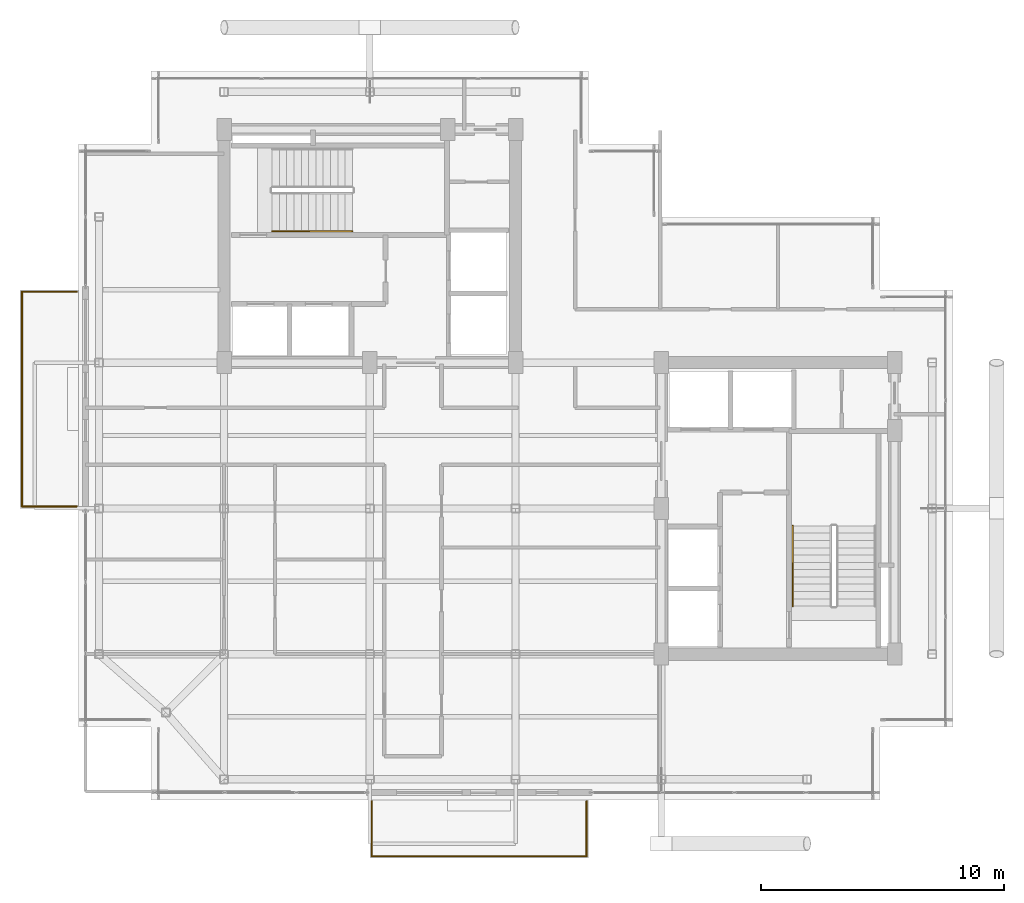
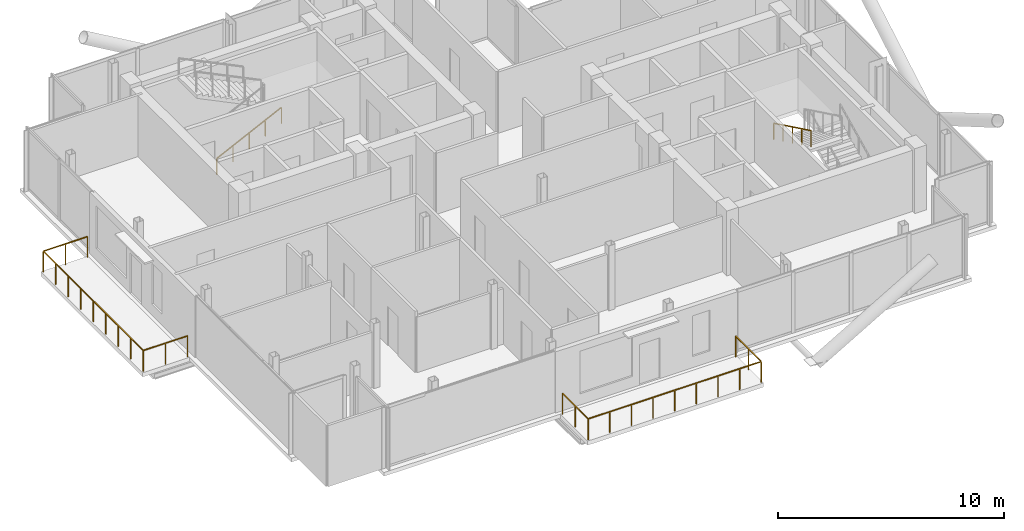
# One storey, part 17 of 18: 4 railings.
"""IFC4 building model written with IfcOpenShell, lengths in metres."""

import ifcopenshell
import ifcopenshell.guid

model = None  # the IFC model being written
_history = None  # IfcOwnerHistory: only IFC2X3 demands one
_inside = {}  # id of a spatial element -> (the spatial element, [elements in it])
_under = {}  # id of a project, library or spatial element -> (it, [spatial elements below it])
_declared = {}  # id of a project -> (the project, [libraries it declares])
_typed = {}  # id of a type object -> (the type object, [elements of that type])
_made_of = {}  # id of a material, layer set ... -> (it, [elements and type objects made of it])


def new_model(schema):
    """Start an empty IFC model of exactly this schema.

    Asked for "IFC4X3", IfcOpenShell would pick the latest addendum, in which some entities
    have other attributes; the version numbers below select the first issue.
    IFC2X3 requires an IfcOwnerHistory on every rooted entity: one is made here for all.
    """
    global model, _history
    if schema == "IFC4X3":
        model = ifcopenshell.file(schema_version=(4, 3, 0, 0))
    else:
        model = ifcopenshell.file(schema=schema)
    _inside.clear()
    _under.clear()
    _declared.clear()
    _typed.clear()
    _made_of.clear()
    _history = None
    if model.schema == "IFC2X3":
        org = make("IfcOrganization", Name="unknown")
        user = make(
            "IfcPersonAndOrganization",
            ThePerson=make("IfcPerson", FamilyName="unknown"),
            TheOrganization=org,
        )
        app = make(
            "IfcApplication",
            ApplicationDeveloper=org,
            Version="unknown",
            ApplicationFullName="unknown",
            ApplicationIdentifier="unknown",
        )
        _history = make(
            "IfcOwnerHistory",
            OwningUser=user,
            OwningApplication=app,
            ChangeAction="ADDED",
            CreationDate=0,
        )
    return model


def make(cls, **values):
    """One entity of the class cls with the attributes given. An attribute that is None is left unset."""
    return model.create_entity(
        cls, **{name: value for name, value in values.items() if value is not None}
    )


def rooted(cls, **values):
    """An entity with a GlobalId (a new one), such as an element, a storey or a relation."""
    return make(cls, GlobalId=ifcopenshell.guid.new(), OwnerHistory=_history, **values)


def si_unit(unit_type, name, prefix=None):
    """IfcSIUnit, for example si_unit("LENGTHUNIT", "METRE", prefix="MILLI")."""
    return make("IfcSIUnit", UnitType=unit_type, Prefix=prefix, Name=name)


def assignment(units):
    """IfcUnitAssignment: the units of a project."""
    return None if units is None else make("IfcUnitAssignment", Units=units)


def point(xyz):
    """IfcCartesianPoint."""
    return None if xyz is None else make("IfcCartesianPoint", Coordinates=xyz)


def direction(xyz):
    """IfcDirection."""
    return None if xyz is None else make("IfcDirection", DirectionRatios=xyz)


def frame(location, z_axis=None, x_axis=None):
    """IfcAxis2Placement3D, a coordinate frame: its origin and axes. An axis left out is left unset."""
    return make(
        "IfcAxis2Placement3D",
        Location=point(location),
        Axis=direction(z_axis),
        RefDirection=direction(x_axis),
    )


def frame_2d(location, x_axis=None):
    """IfcAxis2Placement2D, a coordinate frame in the plane: its origin and x axis."""
    return make(
        "IfcAxis2Placement2D", Location=point(location), RefDirection=direction(x_axis)
    )


def origin():
    """The frame at (0, 0, 0) with its axes left unset."""
    return frame((0.0, 0.0, 0.0))


def origin_2d():
    """The frame at (0, 0) in the plane with its x axis left unset."""
    return frame_2d((0.0, 0.0))


def place(relative_to, where):
    """IfcLocalPlacement: puts the frame where relative to a parent placement (None: the world)."""
    return make(
        "IfcLocalPlacement", PlacementRelTo=relative_to, RelativePlacement=where
    )


def context(
    kind, dimensions, precision=None, world=None, true_north=None, identifier=None
):
    """IfcGeometricRepresentationContext, for example the 3D "Model" context."""
    return make(
        "IfcGeometricRepresentationContext",
        ContextIdentifier=identifier,
        ContextType=kind,
        CoordinateSpaceDimension=dimensions,
        Precision=precision,
        WorldCoordinateSystem=world,
        TrueNorth=true_north,
    )


def subcontext(parent, identifier, kind, view, scale=None):
    """IfcGeometricRepresentationSubContext, for example "Body" below "Model"."""
    return make(
        "IfcGeometricRepresentationSubContext",
        ContextIdentifier=identifier,
        ContextType=kind,
        ParentContext=parent,
        TargetScale=scale,
        TargetView=view,
    )


def project(units=None, contexts=None):
    """IfcProject with its units and contexts."""
    return rooted(
        "IfcProject",
        Name="project",
        RepresentationContexts=contexts,
        UnitsInContext=assignment(units),
    )


def spatial(cls, under=None, at=None, **own):
    """A site, building, storey or space (cls), placed at a placement, below another one or the project."""
    s = rooted(cls, ObjectPlacement=at, **own)
    if under is not None:
        _under.setdefault(under.id(), (under, []))[1].append(s)
    return s


def profile(cls, at=None, kind="AREA", **sizes):
    """A parametric profile (cls). Its sizes go by their IFC names, for example OverallWidth=200.0."""
    return make(cls, ProfileType=kind, Position=at, **sizes)


def rectangle(**sizes):
    """IfcRectangleProfileDef."""
    return profile("IfcRectangleProfileDef", **sizes)


def extrude(swept, where, along, depth):
    """IfcExtrudedAreaSolid: the profile swept, set in the frame where, extruded along a direction by depth."""
    return make(
        "IfcExtrudedAreaSolid",
        SweptArea=swept,
        Position=where,
        ExtrudedDirection=direction(along),
        Depth=depth,
    )


def shape(context_of_items, identifier, shape_type, items):
    """IfcShapeRepresentation: the items that make up one representation, for example the "Body"."""
    return make(
        "IfcShapeRepresentation",
        ContextOfItems=context_of_items,
        RepresentationIdentifier=identifier,
        RepresentationType=shape_type,
        Items=items,
    )


def material(Name=None, Category=None):
    """IfcMaterial."""
    return make("IfcMaterial", Name=Name, Category=Category)


def made_of(thing, what):
    """Note that an element or type object is made of a material, layer set ...; save() writes the relation."""
    if what is not None:
        _made_of.setdefault(what.id(), (what, []))[1].append(thing)
    return thing


def type_object(cls, material=None, **own):
    """A type object (cls), such as IfcWallType, which elements share."""
    return made_of(rooted(cls, **own), material)


def element(
    cls,
    number,
    at=None,
    inside=None,
    cuts=None,
    type_object=None,
    material=None,
    context=None,
    identifier="Body",
    shape_type=None,
    held_by="IfcProductDefinitionShape",
    body=None,
    shapes=None,
    **own,
):
    """One element of the class cls, such as IfcWall. Its Tag is "e" and its number.

    at: its placement. inside: the storey or other place that contains it. cuts: it is an
    opening in that element (IfcRelVoidsElement). A single representation is given by context,
    identifier, shape_type and body (its items); several are given by shapes. held_by: the class
    of the entity that holds the representations. save() writes the other relations.
    """
    e = rooted(cls, Tag="e%d" % number, ObjectPlacement=at, **own)
    if body is not None:
        shapes = [shape(context, identifier, shape_type, body)]
    if shapes is not None:
        e.Representation = make(held_by, Representations=shapes)
    if inside is not None:
        _inside.setdefault(inside.id(), (inside, []))[1].append(e)
    if cuts is not None:
        rooted(
            "IfcRelVoidsElement", RelatingBuildingElement=cuts, RelatedOpeningElement=e
        )
    if type_object is not None:
        _typed.setdefault(type_object.id(), (type_object, []))[1].append(e)
    return made_of(e, material)


def aggregate(whole, parts):
    """IfcRelAggregates: a whole, such as a stair, and the parts it consists of."""
    return rooted("IfcRelAggregates", RelatingObject=whole, RelatedObjects=parts)


def save(model, path):
    """Write the relations noted so far, then the file.

    IfcRelAggregates (storeys below a building ...), IfcRelContainedInSpatialStructure (elements
    in a storey), IfcRelDefinesByType, IfcRelAssociatesMaterial and IfcRelDeclares: one each for
    every whole, place, type object, material and project.
    """
    for whole, parts in _under.values():
        aggregate(whole, parts)
    for where, things in _inside.values():
        rooted(
            "IfcRelContainedInSpatialStructure",
            RelatedElements=things,
            RelatingStructure=where,
        )
    for kind, things in _typed.values():
        rooted("IfcRelDefinesByType", RelatedObjects=things, RelatingType=kind)
    for what, things in _made_of.values():
        rooted("IfcRelAssociatesMaterial", RelatedObjects=things, RelatingMaterial=what)
    for by, libraries in _declared.values():
        rooted("IfcRelDeclares", RelatingContext=by, RelatedDefinitions=libraries)
    model.write(path)


model = new_model("IFC4")

# Units and contexts
model_context = context("Model", 3, precision=1e-05, world=origin(), true_north=direction((0.0, 1.0)))
body_context = subcontext(model_context, "Body", "Model", "MODEL_VIEW")
ifc_project = project(units=[si_unit("LENGTHUNIT", "METRE"), si_unit("AREAUNIT", "SQUARE_METRE"), si_unit("VOLUMEUNIT", "CUBIC_METRE"), si_unit("PLANEANGLEUNIT", "RADIAN"), si_unit("MASSUNIT", "GRAM", prefix="KILO"), si_unit("THERMODYNAMICTEMPERATUREUNIT", "KELVIN"), si_unit("POWERUNIT", "WATT")], contexts=[model_context])

# Site, building, storey
site_placement = place(None, origin())
site = spatial("IfcSite", under=ifc_project, at=site_placement, CompositionType="ELEMENT")
building_placement = place(site_placement, origin())
building = spatial("IfcBuilding", under=site, at=building_placement, Name="Svarakhadi Broadcast Tower", CompositionType="ELEMENT")
storey_placement = place(building_placement, frame((0.0, 0.0, 267.699951171875)))
storey = spatial("IfcBuildingStorey", under=building, at=storey_placement, Name="L67", CompositionType="ELEMENT", Elevation=267.699951171875)

# Railings
ifc_material_1 = material(Name="Laminated Structural SentryGlas Balustrade 25.5 mm", Category="glass")
railing_type_1 = type_object("IfcRailingType", Name="Guard_Balcony_GR01", PredefinedType="BALUSTRADE", material=ifc_material_1)
railing_1_placement = place(storey_placement, frame((12.080078125, -0.06005859375, 0.0)))
element("IfcRailing", 1, at=railing_1_placement, inside=storey, type_object=railing_type_1, Name="L67 South Tree Balcony Guard GR-05", PredefinedType="BALUSTRADE", context=body_context, shape_type="SweptSolid", body=[
    extrude(rectangle(XDim=0.048095703125, YDim=0.048095703125, at=origin_2d()), frame((0.0, 0.0, 1.1259765625), z_axis=(0.0, -1.0, 0.0), x_axis=(1.0, 0.0, 0.0)), (0.0, 0.0, 1.0), 2.260009765625),
    extrude(rectangle(XDim=0.048095703125, YDim=0.048095703125, at=origin_2d()), frame((0.0, -2.260009765625, 1.1259765625), z_axis=(1.0, 0.0, 0.0), x_axis=(0.0, 1.0, 0.0)), (0.0, 0.0, 1.0), 8.83984375),
    extrude(rectangle(XDim=0.048095703125, YDim=0.048095703125, at=origin_2d()), frame((8.83984375, -2.260009765625, 1.1259765625), z_axis=(0.0, 1.0, 0.0), x_axis=(-1.0, 0.0, 0.0)), (0.0, 0.0, 1.0), 2.260009765625),
    extrude(rectangle(XDim=0.0419921875, YDim=0.0419921875, at=origin_2d()), origin(), (0.0, 0.0, 1.0), 1.101806640625),
    extrude(rectangle(XDim=0.0419921875, YDim=0.0419921875, at=origin_2d()), frame((0.0, -1.1298828125, 0.0)), (0.0, 0.0, 1.0), 1.101806640625),
    extrude(rectangle(XDim=0.0419921875, YDim=0.0419921875, at=origin_2d()), frame((0.0, -2.260009765625, 0.0)), (0.0, 0.0, 1.0), 1.101806640625),
    extrude(rectangle(XDim=0.0419921875, YDim=0.0419921875, at=origin_2d()), frame((1.10498046875, -2.260009765625, 0.0)), (0.0, 0.0, 1.0), 1.101806640625),
    extrude(rectangle(XDim=0.0419921875, YDim=0.0419921875, at=origin_2d()), frame((2.2099609375, -2.260009765625, 0.0)), (0.0, 0.0, 1.0), 1.101806640625),
    extrude(rectangle(XDim=0.0419921875, YDim=0.0419921875, at=origin_2d()), frame((3.31494140625, -2.260009765625, 0.0)), (0.0, 0.0, 1.0), 1.101806640625),
    extrude(rectangle(XDim=0.0419921875, YDim=0.0419921875, at=origin_2d()), frame((4.419921875, -2.260009765625, 0.0)), (0.0, 0.0, 1.0), 1.101806640625),
    extrude(rectangle(XDim=0.0419921875, YDim=0.0419921875, at=origin_2d()), frame((5.52490234375, -2.260009765625, 0.0)), (0.0, 0.0, 1.0), 1.101806640625),
    extrude(rectangle(XDim=0.0419921875, YDim=0.0419921875, at=origin_2d()), frame((6.6298828125, -2.260009765625, 0.0)), (0.0, 0.0, 1.0), 1.101806640625),
    extrude(rectangle(XDim=0.0419921875, YDim=0.0419921875, at=origin_2d()), frame((7.73486328125, -2.260009765625, 0.0)), (0.0, 0.0, 1.0), 1.101806640625),
    extrude(rectangle(XDim=0.0419921875, YDim=0.0419921875, at=origin_2d()), frame((8.83984375, -2.260009765625, 0.0)), (0.0, 0.0, 1.0), 1.101806640625),
    extrude(rectangle(XDim=0.0419921875, YDim=0.0419921875, at=origin_2d()), frame((8.83984375, -1.1298828125, 0.0)), (0.0, 0.0, 1.0), 1.101806640625),
    extrude(rectangle(XDim=0.0419921875, YDim=0.0419921875, at=origin_2d()), frame((8.83984375, 0.0, 0.0)), (0.0, 0.0, 1.0), 1.101806640625),
])
railing_2_placement = place(storey_placement, frame((-0.06005859375, 12.080078125, 0.0)))
element("IfcRailing", 2, at=railing_2_placement, inside=storey, type_object=railing_type_1, Name="L67 West Tree Balcony Guard GR-05", PredefinedType="BALUSTRADE", context=body_context, shape_type="SweptSolid", body=[
    extrude(rectangle(XDim=0.048095703125, YDim=0.048095703125, at=origin_2d()), frame((0.0, 0.0, 1.1259765625), z_axis=(-1.0, 0.0, 0.0), x_axis=(0.0, -1.0, 0.0)), (0.0, 0.0, 1.0), 2.260009765625),
    extrude(rectangle(XDim=0.048095703125, YDim=0.048095703125, at=origin_2d()), frame((-2.260009765625, 0.0, 1.1259765625), z_axis=(0.0, 1.0, 0.0), x_axis=(-1.0, 0.0, 0.0)), (0.0, 0.0, 1.0), 8.83984375),
    extrude(rectangle(XDim=0.048095703125, YDim=0.048095703125, at=origin_2d()), frame((-2.260009765625, 8.83984375, 1.1259765625), z_axis=(1.0, 0.0, 0.0), x_axis=(0.0, 1.0, 0.0)), (0.0, 0.0, 1.0), 2.260009765625),
    extrude(rectangle(XDim=0.0419921875, YDim=0.0419921875, at=origin_2d()), origin(), (0.0, 0.0, 1.0), 1.101806640625),
    extrude(rectangle(XDim=0.0419921875, YDim=0.0419921875, at=origin_2d()), frame((-1.1298828125, 0.0, 0.0)), (0.0, 0.0, 1.0), 1.101806640625),
    extrude(rectangle(XDim=0.0419921875, YDim=0.0419921875, at=origin_2d()), frame((-2.260009765625, 0.0, 0.0)), (0.0, 0.0, 1.0), 1.101806640625),
    extrude(rectangle(XDim=0.0419921875, YDim=0.0419921875, at=origin_2d()), frame((-2.260009765625, 1.10498046875, 0.0)), (0.0, 0.0, 1.0), 1.101806640625),
    extrude(rectangle(XDim=0.0419921875, YDim=0.0419921875, at=origin_2d()), frame((-2.260009765625, 2.2099609375, 0.0)), (0.0, 0.0, 1.0), 1.101806640625),
    extrude(rectangle(XDim=0.0419921875, YDim=0.0419921875, at=origin_2d()), frame((-2.260009765625, 3.31494140625, 0.0)), (0.0, 0.0, 1.0), 1.101806640625),
    extrude(rectangle(XDim=0.0419921875, YDim=0.0419921875, at=origin_2d()), frame((-2.260009765625, 4.419921875, 0.0)), (0.0, 0.0, 1.0), 1.101806640625),
    extrude(rectangle(XDim=0.0419921875, YDim=0.0419921875, at=origin_2d()), frame((-2.260009765625, 5.52490234375, 0.0)), (0.0, 0.0, 1.0), 1.101806640625),
    extrude(rectangle(XDim=0.0419921875, YDim=0.0419921875, at=origin_2d()), frame((-2.260009765625, 6.6298828125, 0.0)), (0.0, 0.0, 1.0), 1.101806640625),
    extrude(rectangle(XDim=0.0419921875, YDim=0.0419921875, at=origin_2d()), frame((-2.260009765625, 7.73486328125, 0.0)), (0.0, 0.0, 1.0), 1.101806640625),
    extrude(rectangle(XDim=0.0419921875, YDim=0.0419921875, at=origin_2d()), frame((-2.260009765625, 8.83984375, 0.0)), (0.0, 0.0, 1.0), 1.101806640625),
    extrude(rectangle(XDim=0.0419921875, YDim=0.0419921875, at=origin_2d()), frame((-1.1298828125, 8.83984375, 0.0)), (0.0, 0.0, 1.0), 1.101806640625),
    extrude(rectangle(XDim=0.0419921875, YDim=0.0419921875, at=origin_2d()), frame((0.0, 8.83984375, 0.0)), (0.0, 0.0, 1.0), 1.101806640625),
])
ifc_material_2 = material(Name="Anodised Bronze Aluminium AA 6063-T6", Category="aluminium")
railing_type_2 = type_object("IfcRailingType", Name="Handrail_Stair_HR01", PredefinedType="HANDRAIL", material=ifc_material_2)
railing_3_placement = place(storey_placement, frame((7.97998046875, 23.409912109375, 0.14599609375)))
element("IfcRailing", 3, at=railing_3_placement, inside=storey, type_object=railing_type_2, Name="L67 ST-01 stair handrail 1", PredefinedType="HANDRAIL", context=body_context, shape_type="SweptSolid", body=[
    extrude(rectangle(XDim=0.048095703125, YDim=0.048095703125, at=origin_2d()), frame((0.0, 0.0, 0.8759765625), z_axis=(0.899387838337, 0.0, 0.437151594131), x_axis=(0.0, 1.0, 0.0)), (0.0, 0.0, 1.0), 3.669189453125),
    extrude(rectangle(XDim=0.0419921875, YDim=0.0419921875, at=origin_2d()), origin(), (0.0, 0.0, 1.0), 0.851806640625),
    extrude(rectangle(XDim=0.0419921875, YDim=0.0419921875, at=origin_2d()), frame((0.824951171875, 0.0, 0.40087890625)), (0.0, 0.0, 1.0), 0.851806640625),
    extrude(rectangle(XDim=0.0419921875, YDim=0.0419921875, at=origin_2d()), frame((1.64990234375, 0.0, 0.802001953125)), (0.0, 0.0, 1.0), 0.851806640625),
    extrude(rectangle(XDim=0.0419921875, YDim=0.0419921875, at=origin_2d()), frame((2.47509765625, 0.0, 1.203125)), (0.0, 0.0, 1.0), 0.851806640625),
    extrude(rectangle(XDim=0.0419921875, YDim=0.0419921875, at=origin_2d()), frame((3.300048828125, 0.0, 1.60400390625)), (0.0, 0.0, 1.0), 0.851806640625),
])
railing_4_placement = place(storey_placement, frame((29.409912109375, 11.280029296875, 1.89599609375)))
element("IfcRailing", 4, at=railing_4_placement, inside=storey, type_object=railing_type_2, Name="L67 ST-02 stair handrail 2", PredefinedType="HANDRAIL", context=body_context, shape_type="SweptSolid", body=[
    extrude(rectangle(XDim=0.048095703125, YDim=0.048095703125, at=origin_2d()), frame((0.0, 0.0, 0.8759765625), z_axis=(0.0, -0.899387838337, 0.437151594131), x_axis=(1.0, 0.0, 0.0)), (0.0, 0.0, 1.0), 3.669189453125),
    extrude(rectangle(XDim=0.0419921875, YDim=0.0419921875, at=origin_2d()), origin(), (0.0, 0.0, 1.0), 0.851806640625),
    extrude(rectangle(XDim=0.0419921875, YDim=0.0419921875, at=origin_2d()), frame((0.0, -0.824951171875, 0.40087890625)), (0.0, 0.0, 1.0), 0.851806640625),
    extrude(rectangle(XDim=0.0419921875, YDim=0.0419921875, at=origin_2d()), frame((0.0, -1.64990234375, 0.802001953125)), (0.0, 0.0, 1.0), 0.851806640625),
    extrude(rectangle(XDim=0.0419921875, YDim=0.0419921875, at=origin_2d()), frame((0.0, -2.47509765625, 1.203125)), (0.0, 0.0, 1.0), 0.851806640625),
    extrude(rectangle(XDim=0.0419921875, YDim=0.0419921875, at=origin_2d()), frame((0.0, -3.300048828125, 1.60400390625)), (0.0, 0.0, 1.0), 0.851806640625),
])

save(model, "model.ifc")
